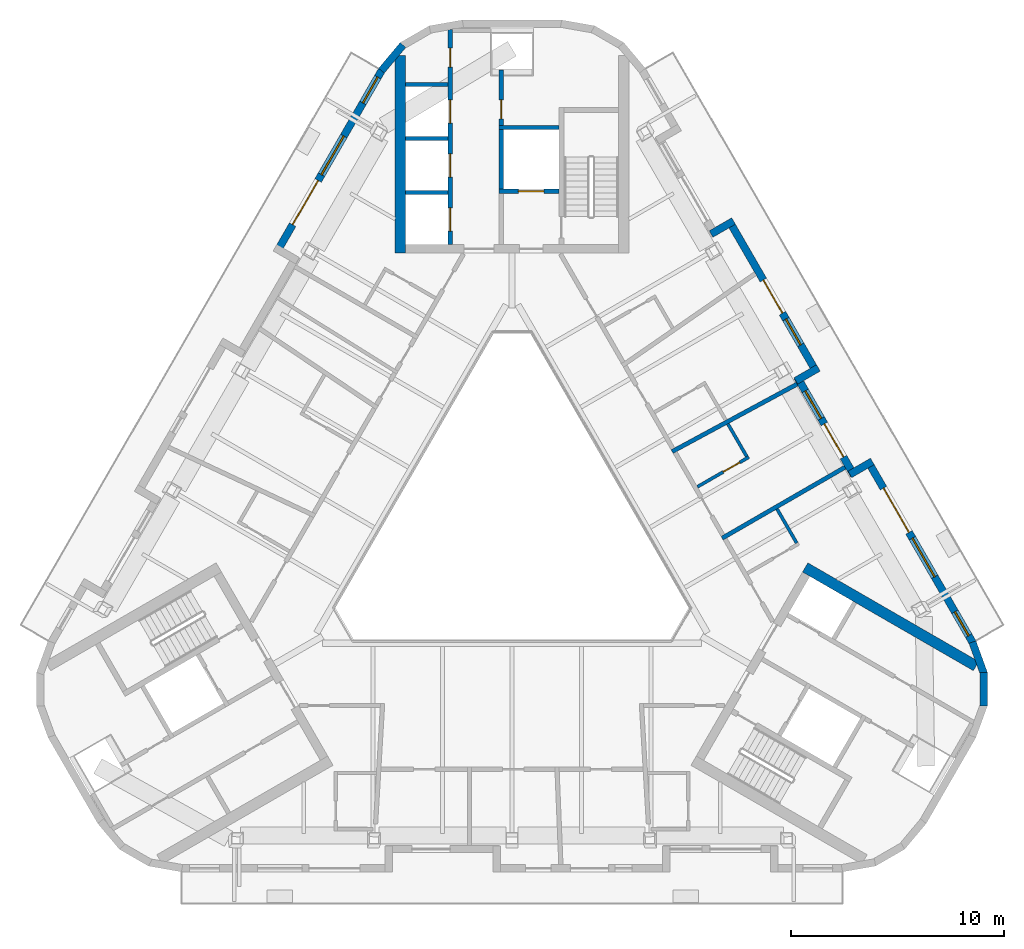
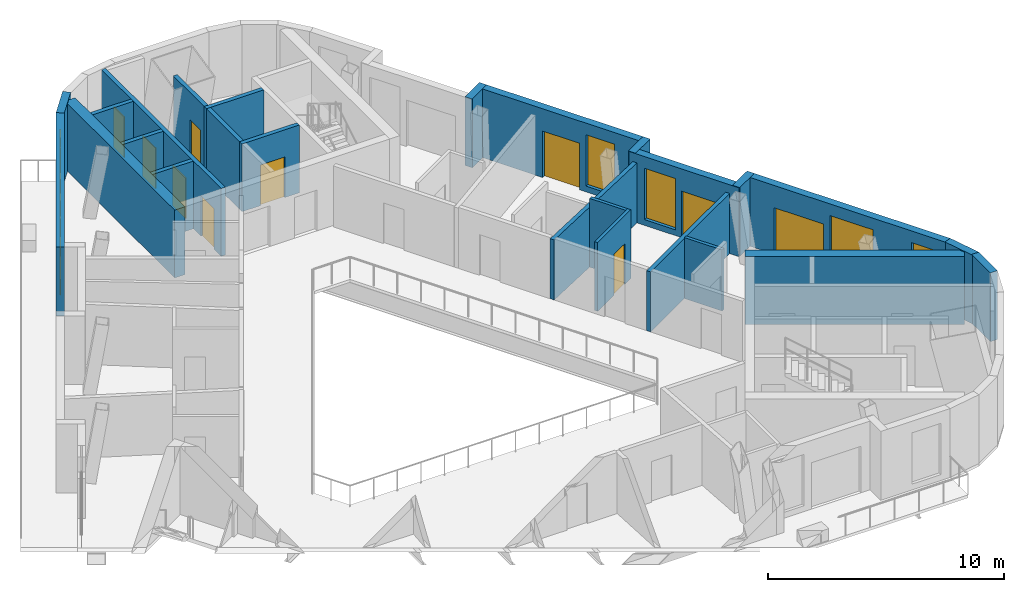
# One storey, part 6 of 11: 25 walls, 11 doors, 6 windows, 17 openings.
"""IFC4 building model written with IfcOpenShell, lengths in metres."""

from ifc_helpers import new_model, si_unit, direction, frame, frame_2d, origin, place, context, subcontext, project, spatial, rectangle, extrude, material, layer, layer_set, type_object, element, fill, save


model = new_model("IFC4")

# Units and contexts
model_context = context("Model", 3, precision=1e-05, world=origin(), true_north=direction((0.0, 1.0)))
body_context = subcontext(model_context, "Body", "Model", "MODEL_VIEW")
ifc_project = project(units=[si_unit("LENGTHUNIT", "METRE"), si_unit("AREAUNIT", "SQUARE_METRE"), si_unit("VOLUMEUNIT", "CUBIC_METRE"), si_unit("PLANEANGLEUNIT", "RADIAN"), si_unit("MASSUNIT", "GRAM", prefix="KILO")], contexts=[model_context])

# Site, building, storey
site_placement = place(None, origin())
site = spatial("IfcSite", under=ifc_project, at=site_placement, CompositionType="ELEMENT")
building_placement = place(site_placement, origin())
building = spatial("IfcBuilding", under=site, at=building_placement, Name="Apuvela Tower Hotel", CompositionType="ELEMENT")
storey_placement = place(building_placement, frame((0.0, 0.0, 320.699951171875)))
storey = spatial("IfcBuildingStorey", under=building, at=storey_placement, Name="L80", CompositionType="ELEMENT", Elevation=320.699951171875)

# Walls
ifc_material_1 = material(Name="Concrete C50/60", Category="concrete")
ifc_layer_1 = layer(ifc_material_1, 0.5)
ifc_layer_set_1 = layer_set([ifc_layer_1], Name="COR-WALL-CORE-500")
wall_type_1 = type_object("IfcWallType", Name="COR-WALL-CORE-500", PredefinedType="SHEAR", material=ifc_layer_set_1)
for number, where, z_axis, x_axis, name in (
    (1, (-5.25, 12.89990234375, 0.0), (0.0, 0.0, 1.0), (0.0, 1.0, 0.0), "Core wall N"),
    (2, (13.796630859375, -1.9033203125, 0.0), (0.0, 0.0, 1.0), (0.866025286072, -0.500000203884, 0.0), "Core wall SE"),
):
    element("IfcWall", number, at=place(storey_placement, frame(where, z_axis=z_axis, x_axis=x_axis)), inside=storey, type_object=wall_type_1, Name=name, PredefinedType="SHEAR", context=body_context, shape_type="SweptSolid", body=[
        extrude(rectangle(XDim=9.28271484375, YDim=0.5, at=frame_2d((4.641357421875, 0.0))), origin(), (0.0, 0.0, 1.0), 3.5),
    ])
ifc_layer_2 = layer(ifc_material_1, 0.199951171875)
ifc_layer_set_2 = layer_set([ifc_layer_2], Name="COR-WALL-SHAFT-200")
wall_type_2 = type_object("IfcWallType", Name="COR-WALL-SHAFT-200", PredefinedType="SHEAR", material=ifc_layer_set_2)
wall_1_placement = place(storey_placement, frame((2.199951171875, 18.800048828125, 0.0), z_axis=(0.0, 0.0, 1.0), x_axis=(-1.0, 0.0, 0.0)))
element("IfcWall", 3, at=wall_1_placement, inside=storey, type_object=wall_type_2, Name="Shaft wall N", PredefinedType="SHEAR", context=body_context, shape_type="SweptSolid", body=[
    extrude(rectangle(XDim=2.800048828125, YDim=0.199951171875, at=frame_2d((1.39990234375, 0.0))), origin(), (0.0, 0.0, 1.0), 3.5),
])

# Wall, opening, door
wall_2_placement = place(storey_placement, frame((2.199951171875, 15.800048828125, 0.0), z_axis=(0.0, 0.0, 1.0), x_axis=(-1.0, 0.0, 0.0)))
wall_2 = element("IfcWall", 4, at=wall_2_placement, inside=storey, type_object=wall_type_2, Name="Shaft wall N", PredefinedType="SHEAR", context=body_context, shape_type="SweptSolid", body=[
    extrude(rectangle(XDim=2.800048828125, YDim=0.199951171875, at=frame_2d((1.39990234375, 0.0))), origin(), (0.0, 0.0, 1.0), 3.5),
])
opening_1_placement = place(wall_2_placement, frame((0.699951171875, 0.0, 0.0)))
opening_1 = element("IfcOpeningElement", 5, at=opening_1_placement, cuts=wall_2, Name="Opening N-LD-FS1", PredefinedType="OPENING", context=body_context, shape_type="SweptSolid", body=[
    extrude(rectangle(XDim=1.199951171875, YDim=2.10009765625, at=frame_2d((0.60009765625, 1.050048828125))), frame((0.0, 0.10986328125, 0.0), z_axis=(0.0, -1.0, 0.0), x_axis=(1.0, 0.0, 0.0)), (0.0, 0.0, 1.0), 0.219970703125),
])
ifc_material_2 = material(Name="Stainless steel lift landing door", Category="steel")
door_type_1 = type_object("IfcDoorType", Name="COR-LD-1200", OperationType="DOUBLE_DOOR_SLIDING", PredefinedType="DOOR", material=ifc_material_2)
door_1_placement = place(opening_1_placement, origin())
door_1 = element("IfcDoor", 6, at=door_1_placement, inside=storey, type_object=door_type_1, Name="Lift landing door N-LD-FS1", OperationType="DOUBLE_DOOR_SLIDING", OverallHeight=2.10009765625, OverallWidth=1.199951171875, PredefinedType="DOOR", context=body_context, shape_type="SweptSolid", body=[
    extrude(rectangle(XDim=1.199951171875, YDim=2.10009765625, at=frame_2d((0.60009765625, 1.050048828125))), frame((0.0, 0.02490234375, 0.0), z_axis=(0.0, -1.0, 0.0), x_axis=(1.0, 0.0, 0.0)), (0.0, 0.0, 1.0), 0.050048828125),
])
fill(opening_1, door_1)

# Wall
wall_3_placement = place(storey_placement, frame((-0.5, 15.89990234375, 0.0), z_axis=(0.0, 0.0, 1.0), x_axis=(0.0, 1.0, 0.0)))
element("IfcWall", 7, at=wall_3_placement, inside=storey, type_object=wall_type_2, Name="Shaft wall N", PredefinedType="SHEAR", context=body_context, shape_type="SweptSolid", body=[
    extrude(rectangle(XDim=2.800048828125, YDim=0.199951171875, at=frame_2d((1.39990234375, 0.0))), origin(), (0.0, 0.0, 1.0), 3.5),
])

# Wall, openings, doors
wall_4_placement = place(storey_placement, frame((-2.89990234375, 13.300048828125, 0.0), z_axis=(0.0, 0.0, 1.0), x_axis=(0.0, 1.0, 0.0)))
wall_4 = element("IfcWall", 8, at=wall_4_placement, inside=storey, type_object=wall_type_2, Name="Shaft wall N", PredefinedType="SHEAR", context=body_context, shape_type="SweptSolid", body=[
    extrude(rectangle(XDim=10.120849609375, YDim=0.199951171875, at=frame_2d((5.060546875, 0.0))), origin(), (0.0, 0.0, 1.0), 3.5),
])
opening_2_placement = place(wall_4_placement, frame((0.6201171875, 0.0, 0.0)))
opening_2 = element("IfcOpeningElement", 9, at=opening_2_placement, cuts=wall_4, Name="Opening N-LD-HR1", PredefinedType="OPENING", context=body_context, shape_type="SweptSolid", body=[
    extrude(rectangle(XDim=1.10009765625, YDim=2.10009765625, at=frame_2d((0.550048828125, 1.050048828125))), frame((0.0, 0.10986328125, 0.0), z_axis=(0.0, -1.0, 0.0), x_axis=(1.0, 0.0, 0.0)), (0.0, 0.0, 1.0), 0.219970703125),
])
opening_3_placement = place(wall_4_placement, frame((3.159912109375, 0.0, 0.0)))
opening_3 = element("IfcOpeningElement", 10, at=opening_3_placement, cuts=wall_4, Name="Opening N-LD-HR2", PredefinedType="OPENING", context=body_context, shape_type="SweptSolid", body=[
    extrude(rectangle(XDim=1.10009765625, YDim=2.10009765625, at=frame_2d((0.550048828125, 1.050048828125))), frame((0.0, 0.10986328125, 0.0), z_axis=(0.0, -1.0, 0.0), x_axis=(1.0, 0.0, 0.0)), (0.0, 0.0, 1.0), 0.219970703125),
])
opening_4_placement = place(wall_4_placement, frame((5.699951171875, 0.0, 0.0)))
opening_4 = element("IfcOpeningElement", 11, at=opening_4_placement, cuts=wall_4, Name="Opening N-LD-HR4", PredefinedType="OPENING", context=body_context, shape_type="SweptSolid", body=[
    extrude(rectangle(XDim=1.10009765625, YDim=2.10009765625, at=frame_2d((0.550048828125, 1.050048828125))), frame((0.0, 0.10986328125, 0.0), z_axis=(0.0, -1.0, 0.0), x_axis=(1.0, 0.0, 0.0)), (0.0, 0.0, 1.0), 0.219970703125),
])
opening_5_placement = place(wall_4_placement, frame((8.340087890625, 0.0, 0.0)))
opening_5 = element("IfcOpeningElement", 12, at=opening_5_placement, cuts=wall_4, Name="Opening N-RE4", PredefinedType="OPENING", context=body_context, shape_type="SweptSolid", body=[
    extrude(rectangle(XDim=0.89990234375, YDim=2.10009765625, at=frame_2d((0.449951171875, 1.050048828125))), frame((0.0, 0.10986328125, 0.0), z_axis=(0.0, -1.0, 0.0), x_axis=(1.0, 0.0, 0.0)), (0.0, 0.0, 1.0), 0.219970703125),
])
ifc_material_3 = material(Name="Steel fire door, powder coated", Category="steel")
door_type_2 = type_object("IfcDoorType", Name="COR-DR-900", OperationType="NOTDEFINED", PredefinedType="DOOR", material=ifc_material_3)
door_2_placement = place(opening_5_placement, origin())
door_2 = element("IfcDoor", 13, at=door_2_placement, inside=storey, type_object=door_type_2, Name="Store door N-RE4", OperationType="SINGLE_SWING_LEFT", OverallHeight=2.10009765625, OverallWidth=0.89990234375, PredefinedType="DOOR", context=body_context, shape_type="SweptSolid", body=[
    extrude(rectangle(XDim=0.89990234375, YDim=2.10009765625, at=frame_2d((0.449951171875, 1.050048828125))), frame((0.0, 0.02490234375, 0.0), z_axis=(0.0, -1.0, 0.0), x_axis=(1.0, 0.0, 0.0)), (0.0, 0.0, 1.0), 0.050048828125),
])
fill(opening_5, door_2)
door_type_3 = type_object("IfcDoorType", Name="COR-LD-1100", OperationType="DOUBLE_DOOR_SLIDING", PredefinedType="DOOR", material=ifc_material_2)
door_3_placement = place(opening_2_placement, origin())
door_3 = element("IfcDoor", 14, at=door_3_placement, inside=storey, type_object=door_type_3, Name="Lift landing door N-LD-HR1", OperationType="DOUBLE_DOOR_SLIDING", OverallHeight=2.10009765625, OverallWidth=1.10009765625, PredefinedType="DOOR", context=body_context, shape_type="SweptSolid", body=[
    extrude(rectangle(XDim=1.10009765625, YDim=2.10009765625, at=frame_2d((0.550048828125, 1.050048828125))), frame((0.0, 0.02490234375, 0.0), z_axis=(0.0, -1.0, 0.0), x_axis=(1.0, 0.0, 0.0)), (0.0, 0.0, 1.0), 0.050048828125),
])
fill(opening_2, door_3)
door_4_placement = place(opening_3_placement, origin())
door_4 = element("IfcDoor", 15, at=door_4_placement, inside=storey, type_object=door_type_3, Name="Lift landing door N-LD-HR2", OperationType="DOUBLE_DOOR_SLIDING", OverallHeight=2.10009765625, OverallWidth=1.10009765625, PredefinedType="DOOR", context=body_context, shape_type="SweptSolid", body=[
    extrude(rectangle(XDim=1.10009765625, YDim=2.10009765625, at=frame_2d((0.550048828125, 1.050048828125))), frame((0.0, 0.02490234375, 0.0), z_axis=(0.0, -1.0, 0.0), x_axis=(1.0, 0.0, 0.0)), (0.0, 0.0, 1.0), 0.050048828125),
])
fill(opening_3, door_4)
door_5_placement = place(opening_4_placement, origin())
door_5 = element("IfcDoor", 16, at=door_5_placement, inside=storey, type_object=door_type_3, Name="Lift landing door N-LD-HR4", OperationType="DOUBLE_DOOR_SLIDING", OverallHeight=2.10009765625, OverallWidth=1.10009765625, PredefinedType="DOOR", context=body_context, shape_type="SweptSolid", body=[
    extrude(rectangle(XDim=1.10009765625, YDim=2.10009765625, at=frame_2d((0.550048828125, 1.050048828125))), frame((0.0, 0.02490234375, 0.0), z_axis=(0.0, -1.0, 0.0), x_axis=(1.0, 0.0, 0.0)), (0.0, 0.0, 1.0), 0.050048828125),
])
fill(opening_4, door_5)

# Wall, opening, door
wall_5_placement = place(storey_placement, frame((-0.5, 18.89990234375, 0.0), z_axis=(0.0, 0.0, 1.0), x_axis=(0.0, 1.0, 0.0)))
wall_5 = element("IfcWall", 17, at=wall_5_placement, inside=storey, type_object=wall_type_2, Name="Shaft wall N", PredefinedType="SHEAR", context=body_context, shape_type="SweptSolid", body=[
    extrude(rectangle(XDim=2.607666015625, YDim=0.199951171875, at=frame_2d((1.3037109375, 0.0))), origin(), (0.0, 0.0, 1.0), 3.5),
])
opening_6_placement = place(wall_5_placement, frame((0.300048828125, 0.0, 0.0)))
opening_6 = element("IfcOpeningElement", 18, at=opening_6_placement, cuts=wall_5, Name="Opening N-RDU", PredefinedType="OPENING", context=body_context, shape_type="SweptSolid", body=[
    extrude(rectangle(XDim=0.89990234375, YDim=2.10009765625, at=frame_2d((0.449951171875, 1.050048828125))), frame((0.0, 0.10986328125, 0.0), z_axis=(0.0, -1.0, 0.0), x_axis=(1.0, 0.0, 0.0)), (0.0, 0.0, 1.0), 0.219970703125),
])
door_6_placement = place(opening_6_placement, frame((0.89990234375, 0.0, 0.0), z_axis=(0.0, 0.0, 1.0), x_axis=(-1.0, 0.0, 0.0)))
door_6 = element("IfcDoor", 19, at=door_6_placement, inside=storey, type_object=door_type_2, Name="Store door N-RDU", OperationType="SINGLE_SWING_RIGHT", OverallHeight=2.10009765625, OverallWidth=0.89990234375, PredefinedType="DOOR", context=body_context, shape_type="SweptSolid", body=[
    extrude(rectangle(XDim=0.89990234375, YDim=2.10009765625, at=frame_2d((0.449951171875, 1.050048828125))), frame((0.0, 0.02490234375, 0.0), z_axis=(0.0, -1.0, 0.0), x_axis=(1.0, 0.0, 0.0)), (0.0, 0.0, 1.0), 0.050048828125),
])
fill(opening_6, door_6)

# Walls
for number, where, z_axis, x_axis, name in (
    (20, (-3.0, 15.739990234375, 0.0), (0.0, 0.0, 1.0), (-1.0, 0.0, 0.0), "Shaft wall N"),
    (21, (-3.0, 18.280029296875, 0.0), (0.0, 0.0, 1.0), (-1.0, 0.0, 0.0), "Shaft wall N"),
    (22, (-3.0, 20.820068359375, 0.0), (0.0, 0.0, 1.0), (-1.0, 0.0, 0.0), "Shaft wall N"),
):
    element("IfcWall", number, at=place(storey_placement, frame(where, z_axis=z_axis, x_axis=x_axis)), inside=storey, type_object=wall_type_2, Name=name, PredefinedType="SHEAR", context=body_context, shape_type="SweptSolid", body=[
        extrude(rectangle(XDim=2.0, YDim=0.199951171875, at=frame_2d((1.0, 0.0))), origin(), (0.0, 0.0, 1.0), 3.5),
    ])

# Wall, openings, door, windows
ifc_material_4 = material(Name="Concrete C40/50, dark pigmented precast panel", Category="concrete")
ifc_layer_3 = layer(ifc_material_4, 0.35009765625)
ifc_layer_set_3 = layer_set([ifc_layer_3], Name="ENV-WALL-350")
wall_type_3 = type_object("IfcWallType", Name="ENV-WALL-350", PredefinedType="SOLIDWALL", material=ifc_layer_set_3)
wall_6_placement = place(storey_placement, frame((-6.12451171875, 21.496826171875, 0.0), z_axis=(0.0, 0.0, 1.0), x_axis=(-0.500002137087, -0.866024169933, 0.0)))
wall_6 = element("IfcWall", 23, at=wall_6_placement, inside=storey, type_object=wall_type_3, Name="External wall L80-01", PredefinedType="SOLIDWALL", context=body_context, shape_type="SweptSolid", body=[
    extrude(rectangle(XDim=9.923828125, YDim=0.35009765625, at=frame_2d((4.9619140625, 0.0))), origin(), (0.0, 0.0, 1.0), 3.550048828125),
])
opening_7_placement = place(wall_6_placement, frame((0.380615234375, 0.0, 0.300048828125)))
opening_7 = element("IfcOpeningElement", 24, at=opening_7_placement, cuts=wall_6, Name="Opening WN14", PredefinedType="OPENING", context=body_context, shape_type="SweptSolid", body=[
    extrude(rectangle(XDim=1.39990234375, YDim=2.64990234375, at=frame_2d((0.699951171875, 1.324951171875))), frame((0.0, 0.18505859375, 0.0), z_axis=(0.0, -1.0, 0.0), x_axis=(1.0, 0.0, 0.0)), (0.0, 0.0, 1.0), 0.3701171875),
])
opening_8_placement = place(wall_6_placement, frame((5.994873046875, 0.0, 0.0)))
opening_8 = element("IfcOpeningElement", 25, at=opening_8_placement, cuts=wall_6, Name="Opening BD24", PredefinedType="OPENING", context=body_context, shape_type="SweptSolid", body=[
    extrude(rectangle(XDim=2.39990234375, YDim=2.39990234375, at=frame_2d((1.199951171875, 1.199951171875))), frame((0.0, 0.18505859375, 0.0), z_axis=(0.0, -1.0, 0.0), x_axis=(1.0, 0.0, 0.0)), (0.0, 0.0, 1.0), 0.3701171875),
])
opening_9_placement = place(wall_6_placement, frame((3.57958984375, 0.0, 0.300048828125)))
opening_9 = element("IfcOpeningElement", 26, at=opening_9_placement, cuts=wall_6, Name="Opening WN21", PredefinedType="OPENING", context=body_context, shape_type="SweptSolid", body=[
    extrude(rectangle(XDim=2.10009765625, YDim=2.64990234375, at=frame_2d((1.050048828125, 1.324951171875))), frame((0.0, 0.18505859375, 0.0), z_axis=(0.0, -1.0, 0.0), x_axis=(1.0, 0.0, 0.0)), (0.0, 0.0, 1.0), 0.3701171875),
])
ifc_material_5 = material(Name="Aluminium 6063-T6, dark bronze anodised frame with dark tinted laminated glass", Category="aluminium")
door_type_4 = type_object("IfcDoorType", Name="ENV-DOOR-BALCONY-2400x2400", OperationType="SLIDING_TO_LEFT", PredefinedType="DOOR", material=ifc_material_5)
door_7_placement = place(opening_8_placement, frame((2.39990234375, 0.0, 0.0), z_axis=(0.0, 0.0, 1.0), x_axis=(-1.0, 0.0, 0.0)))
door_7 = element("IfcDoor", 27, at=door_7_placement, inside=storey, type_object=door_type_4, Name="Balcony door BD24", OperationType="SLIDING_TO_LEFT", OverallHeight=2.39990234375, OverallWidth=2.39990234375, PredefinedType="DOOR", context=body_context, shape_type="SweptSolid", body=[
    extrude(rectangle(XDim=2.39990234375, YDim=2.39990234375, at=frame_2d((1.199951171875, 1.199951171875))), frame((0.0, 0.02490234375, 0.0), z_axis=(0.0, -1.0, 0.0), x_axis=(1.0, 0.0, 0.0)), (0.0, 0.0, 1.0), 0.050048828125),
])
fill(opening_8, door_7)
ifc_material_6 = material(Name="Glass, dark tinted laminated insulated glazing unit", Category="glass")
window_type_1 = type_object("IfcWindowType", Name="ENV-WIN-1400x2650", PartitioningType="SINGLE_PANEL", PredefinedType="WINDOW", material=ifc_material_6)
window_1_placement = place(opening_7_placement, origin())
window_1 = element("IfcWindow", 28, at=window_1_placement, inside=storey, type_object=window_type_1, Name="Window WN14", OverallHeight=2.64990234375, OverallWidth=1.39990234375, PartitioningType="SINGLE_PANEL", PredefinedType="WINDOW", context=body_context, shape_type="SweptSolid", body=[
    extrude(rectangle(XDim=1.39990234375, YDim=2.64990234375, at=frame_2d((0.699951171875, 1.324951171875))), frame((0.0, 0.030029296875, 0.0), z_axis=(0.0, -1.0, 0.0), x_axis=(1.0, 0.0, 0.0)), (0.0, 0.0, 1.0), 0.06005859375),
])
fill(opening_7, window_1)
window_type_2 = type_object("IfcWindowType", Name="ENV-WIN-2100x2650", PartitioningType="SINGLE_PANEL", PredefinedType="WINDOW", material=ifc_material_6)
window_2_placement = place(opening_9_placement, origin())
window_2 = element("IfcWindow", 29, at=window_2_placement, inside=storey, type_object=window_type_2, Name="Window WN21", OverallHeight=2.64990234375, OverallWidth=2.10009765625, PartitioningType="SINGLE_PANEL", PredefinedType="WINDOW", context=body_context, shape_type="SweptSolid", body=[
    extrude(rectangle(XDim=2.10009765625, YDim=2.64990234375, at=frame_2d((1.050048828125, 1.324951171875))), frame((0.0, 0.030029296875, 0.0), z_axis=(0.0, -1.0, 0.0), x_axis=(1.0, 0.0, 0.0)), (0.0, 0.0, 1.0), 0.06005859375),
])
fill(opening_9, window_2)

# Walls
for number, where, z_axis, x_axis, name in (
    (30, (22.19580078125, -8.419677734375, 0.0), (0.0, 0.0, 1.0), (0.0, 1.0, 0.0), "External wall L80-31"),
    (31, (22.206298828125, -6.900390625, 0.0), (0.0, 0.0, 1.0), (-0.341991325642, 0.939703109065, 0.0), "External wall L80-32"),
):
    element("IfcWall", number, at=place(storey_placement, frame(where, z_axis=z_axis, x_axis=x_axis)), inside=storey, type_object=wall_type_3, Name=name, PredefinedType="SOLIDWALL", context=body_context, shape_type="SweptSolid", body=[
        extrude(rectangle(XDim=1.5791015625, YDim=0.35009765625, at=frame_2d((0.78955078125, 0.0))), origin(), (0.0, 0.0, 1.0), 3.550048828125),
    ])

# Wall, openings, door, windows
wall_7_placement = place(storey_placement, frame((21.67919921875, -5.4443359375, 0.0), z_axis=(0.0, 0.0, 1.0), x_axis=(-0.500020587865, 0.866013517049, 0.0)))
wall_7 = element("IfcWall", 32, at=wall_7_placement, inside=storey, type_object=wall_type_3, Name="External wall L80-33", PredefinedType="SOLIDWALL", context=body_context, shape_type="SweptSolid", body=[
    extrude(rectangle(XDim=9.923828125, YDim=0.35009765625, at=frame_2d((4.9619140625, 0.0))), origin(), (0.0, 0.0, 1.0), 3.550048828125),
])
opening_10_placement = place(wall_7_placement, frame((0.381103515625, 0.0, 0.300048828125)))
opening_10 = element("IfcOpeningElement", 33, at=opening_10_placement, cuts=wall_7, Name="Opening WN13", PredefinedType="OPENING", context=body_context, shape_type="SweptSolid", body=[
    extrude(rectangle(XDim=1.300048828125, YDim=2.64990234375, at=frame_2d((0.64990234375, 1.324951171875))), frame((0.0, 0.18505859375, 0.0), z_axis=(0.0, -1.0, 0.0), x_axis=(1.0, 0.0, 0.0)), (0.0, 0.0, 1.0), 0.3701171875),
])
opening_11_placement = place(wall_7_placement, frame((5.9951171875, 0.0, 0.0)))
opening_11 = element("IfcOpeningElement", 34, at=opening_11_placement, cuts=wall_7, Name="Opening BD24", PredefinedType="OPENING", context=body_context, shape_type="SweptSolid", body=[
    extrude(rectangle(XDim=2.39990234375, YDim=2.39990234375, at=frame_2d((1.199951171875, 1.199951171875))), frame((0.0, 0.18505859375, 0.0), z_axis=(0.0, -1.0, 0.0), x_axis=(1.0, 0.0, 0.0)), (0.0, 0.0, 1.0), 0.3701171875),
])
opening_12_placement = place(wall_7_placement, frame((3.579345703125, 0.0, 0.300048828125)))
opening_12 = element("IfcOpeningElement", 35, at=opening_12_placement, cuts=wall_7, Name="Opening WN21", PredefinedType="OPENING", context=body_context, shape_type="SweptSolid", body=[
    extrude(rectangle(XDim=2.10009765625, YDim=2.64990234375, at=frame_2d((1.050048828125, 1.324951171875))), frame((0.0, 0.18505859375, 0.0), z_axis=(0.0, -1.0, 0.0), x_axis=(1.0, 0.0, 0.0)), (0.0, 0.0, 1.0), 0.3701171875),
])
door_8_placement = place(opening_11_placement, frame((2.39990234375, 0.0, 0.0), z_axis=(0.0, 0.0, 1.0), x_axis=(-1.0, 0.0, 0.0)))
door_8 = element("IfcDoor", 36, at=door_8_placement, inside=storey, type_object=door_type_4, Name="Balcony door BD24", OperationType="SLIDING_TO_LEFT", OverallHeight=2.39990234375, OverallWidth=2.39990234375, PredefinedType="DOOR", context=body_context, shape_type="SweptSolid", body=[
    extrude(rectangle(XDim=2.39990234375, YDim=2.39990234375, at=frame_2d((1.199951171875, 1.199951171875))), frame((0.0, 0.02490234375, 0.0), z_axis=(0.0, -1.0, 0.0), x_axis=(1.0, 0.0, 0.0)), (0.0, 0.0, 1.0), 0.050048828125),
])
fill(opening_11, door_8)
window_type_3 = type_object("IfcWindowType", Name="ENV-WIN-1300x2650", PartitioningType="SINGLE_PANEL", PredefinedType="WINDOW", material=ifc_material_6)
window_3_placement = place(opening_10_placement, origin())
window_3 = element("IfcWindow", 37, at=window_3_placement, inside=storey, type_object=window_type_3, Name="Window WN13", OverallHeight=2.64990234375, OverallWidth=1.300048828125, PartitioningType="SINGLE_PANEL", PredefinedType="WINDOW", context=body_context, shape_type="SweptSolid", body=[
    extrude(rectangle(XDim=1.300048828125, YDim=2.64990234375, at=frame_2d((0.64990234375, 1.324951171875))), frame((0.0, 0.030029296875, 0.0), z_axis=(0.0, -1.0, 0.0), x_axis=(1.0, 0.0, 0.0)), (0.0, 0.0, 1.0), 0.06005859375),
])
fill(opening_10, window_3)
window_4_placement = place(opening_12_placement, origin())
window_4 = element("IfcWindow", 38, at=window_4_placement, inside=storey, type_object=window_type_2, Name="Window WN21", OverallHeight=2.64990234375, OverallWidth=2.10009765625, PartitioningType="SINGLE_PANEL", PredefinedType="WINDOW", context=body_context, shape_type="SweptSolid", body=[
    extrude(rectangle(XDim=2.10009765625, YDim=2.64990234375, at=frame_2d((1.050048828125, 1.324951171875))), frame((0.0, 0.030029296875, 0.0), z_axis=(0.0, -1.0, 0.0), x_axis=(1.0, 0.0, 0.0)), (0.0, 0.0, 1.0), 0.06005859375),
])
fill(opening_12, window_4)

# Wall
wall_8_placement = place(storey_placement, frame((16.956298828125, 3.0859375, 0.0), z_axis=(0.0, 0.0, 1.0), x_axis=(-0.866005645448, -0.500034220881, 0.0)))
element("IfcWall", 39, at=wall_8_placement, inside=storey, type_object=wall_type_3, Name="External wall L80-34", PredefinedType="SOLIDWALL", context=body_context, shape_type="SweptSolid", body=[
    extrude(rectangle(XDim=1.22021484375, YDim=0.35009765625, at=frame_2d((0.610107421875, 0.0))), origin(), (0.0, 0.0, 1.0), 3.550048828125),
])

# Wall, openings, door, window
wall_9_placement = place(storey_placement, frame((16.09765625, 2.4228515625, 0.0), z_axis=(0.0, 0.0, 1.0), x_axis=(-0.499996591357, 0.866027371756, 0.0)))
wall_9 = element("IfcWall", 40, at=wall_9_placement, inside=storey, type_object=wall_type_3, Name="External wall L80-35", PredefinedType="SOLIDWALL", context=body_context, shape_type="SweptSolid", body=[
    extrude(rectangle(XDim=5.37060546875, YDim=0.35009765625, at=frame_2d((2.685302734375, 0.0))), origin(), (0.0, 0.0, 1.0), 3.550048828125),
])
opening_13_placement = place(wall_9_placement, frame((1.000244140625, 0.0, 0.0)))
opening_13 = element("IfcOpeningElement", 41, at=opening_13_placement, cuts=wall_9, Name="Opening BD18", PredefinedType="OPENING", context=body_context, shape_type="SweptSolid", body=[
    extrude(rectangle(XDim=1.800048828125, YDim=2.39990234375, at=frame_2d((0.89990234375, 1.199951171875))), frame((0.0, 0.18505859375, 0.0), z_axis=(0.0, -1.0, 0.0), x_axis=(1.0, 0.0, 0.0)), (0.0, 0.0, 1.0), 0.3701171875),
])
opening_14_placement = place(wall_9_placement, frame((3.10009765625, 0.0, 0.300048828125)))
opening_14 = element("IfcOpeningElement", 42, at=opening_14_placement, cuts=wall_9, Name="Opening WN15", PredefinedType="OPENING", context=body_context, shape_type="SweptSolid", body=[
    extrude(rectangle(XDim=1.5, YDim=2.64990234375, at=frame_2d((0.75, 1.324951171875))), frame((0.0, 0.18505859375, 0.0), z_axis=(0.0, -1.0, 0.0), x_axis=(1.0, 0.0, 0.0)), (0.0, 0.0, 1.0), 0.3701171875),
])
door_type_5 = type_object("IfcDoorType", Name="ENV-DOOR-BALCONY-1800x2400", OperationType="SLIDING_TO_LEFT", PredefinedType="DOOR", material=ifc_material_5)
door_9_placement = place(opening_13_placement, frame((1.800048828125, 0.0, 0.0), z_axis=(0.0, 0.0, 1.0), x_axis=(-1.0, 0.0, 0.0)))
door_9 = element("IfcDoor", 43, at=door_9_placement, inside=storey, type_object=door_type_5, Name="Balcony door BD18", OperationType="SLIDING_TO_LEFT", OverallHeight=2.39990234375, OverallWidth=1.800048828125, PredefinedType="DOOR", context=body_context, shape_type="SweptSolid", body=[
    extrude(rectangle(XDim=1.800048828125, YDim=2.39990234375, at=frame_2d((0.89990234375, 1.199951171875))), frame((0.0, 0.02490234375, 0.0), z_axis=(0.0, -1.0, 0.0), x_axis=(1.0, 0.0, 0.0)), (0.0, 0.0, 1.0), 0.050048828125),
])
fill(opening_13, door_9)
window_type_4 = type_object("IfcWindowType", Name="ENV-WIN-1500x2650", PartitioningType="SINGLE_PANEL", PredefinedType="WINDOW", material=ifc_material_6)
window_5_placement = place(opening_14_placement, origin())
window_5 = element("IfcWindow", 44, at=window_5_placement, inside=storey, type_object=window_type_4, Name="Window WN15", OverallHeight=2.64990234375, OverallWidth=1.5, PartitioningType="SINGLE_PANEL", PredefinedType="WINDOW", context=body_context, shape_type="SweptSolid", body=[
    extrude(rectangle(XDim=1.5, YDim=2.64990234375, at=frame_2d((0.75, 1.324951171875))), frame((0.0, 0.030029296875, 0.0), z_axis=(0.0, -1.0, 0.0), x_axis=(1.0, 0.0, 0.0)), (0.0, 0.0, 1.0), 0.06005859375),
])
fill(opening_14, window_5)

# Wall
wall_10_placement = place(storey_placement, frame((13.359375, 6.8759765625, 0.0), z_axis=(0.0, 0.0, 1.0), x_axis=(0.866092288191, 0.499884134912, 0.0)))
element("IfcWall", 45, at=wall_10_placement, inside=storey, type_object=wall_type_3, Name="External wall L80-36", PredefinedType="SOLIDWALL", context=body_context, shape_type="SweptSolid", body=[
    extrude(rectangle(XDim=1.219970703125, YDim=0.35009765625, at=frame_2d((0.60986328125, 0.0))), origin(), (0.0, 0.0, 1.0), 3.550048828125),
])

# Wall, openings, door, window
wall_11_placement = place(storey_placement, frame((14.351806640625, 7.246826171875, 0.0), z_axis=(0.0, 0.0, 1.0), x_axis=(-0.499993893925, 0.8660289291, 0.0)))
wall_11 = element("IfcWall", 46, at=wall_11_placement, inside=storey, type_object=wall_type_3, Name="External wall L80-37", PredefinedType="SOLIDWALL", context=body_context, shape_type="SweptSolid", body=[
    extrude(rectangle(XDim=8.33056640625, YDim=0.35009765625, at=frame_2d((4.165283203125, 0.0))), origin(), (0.0, 0.0, 1.0), 3.550048828125),
])
opening_15_placement = place(wall_11_placement, frame((3.250244140625, 0.0, 0.0)))
opening_15 = element("IfcOpeningElement", 47, at=opening_15_placement, cuts=wall_11, Name="Opening BD18", PredefinedType="OPENING", context=body_context, shape_type="SweptSolid", body=[
    extrude(rectangle(XDim=1.800048828125, YDim=2.39990234375, at=frame_2d((0.89990234375, 1.199951171875))), frame((0.0, 0.18505859375, 0.0), z_axis=(0.0, -1.0, 0.0), x_axis=(1.0, 0.0, 0.0)), (0.0, 0.0, 1.0), 0.3701171875),
])
opening_16_placement = place(wall_11_placement, frame((1.528076171875, 0.0, 0.300048828125)))
opening_16 = element("IfcOpeningElement", 48, at=opening_16_placement, cuts=wall_11, Name="Opening WN14", PredefinedType="OPENING", context=body_context, shape_type="SweptSolid", body=[
    extrude(rectangle(XDim=1.39990234375, YDim=2.64990234375, at=frame_2d((0.699951171875, 1.324951171875))), frame((0.0, 0.18505859375, 0.0), z_axis=(0.0, -1.0, 0.0), x_axis=(1.0, 0.0, 0.0)), (0.0, 0.0, 1.0), 0.3701171875),
])
door_10_placement = place(opening_15_placement, frame((1.800048828125, 0.0, 0.0), z_axis=(0.0, 0.0, 1.0), x_axis=(-1.0, 0.0, 0.0)))
door_10 = element("IfcDoor", 49, at=door_10_placement, inside=storey, type_object=door_type_5, Name="Balcony door BD18", OperationType="SLIDING_TO_LEFT", OverallHeight=2.39990234375, OverallWidth=1.800048828125, PredefinedType="DOOR", context=body_context, shape_type="SweptSolid", body=[
    extrude(rectangle(XDim=1.800048828125, YDim=2.39990234375, at=frame_2d((0.89990234375, 1.199951171875))), frame((0.0, 0.02490234375, 0.0), z_axis=(0.0, -1.0, 0.0), x_axis=(1.0, 0.0, 0.0)), (0.0, 0.0, 1.0), 0.050048828125),
])
fill(opening_15, door_10)
window_6_placement = place(opening_16_placement, origin())
window_6 = element("IfcWindow", 50, at=window_6_placement, inside=storey, type_object=window_type_1, Name="Window WN14", OverallHeight=2.64990234375, OverallWidth=1.39990234375, PartitioningType="SINGLE_PANEL", PredefinedType="WINDOW", context=body_context, shape_type="SweptSolid", body=[
    extrude(rectangle(XDim=1.39990234375, YDim=2.64990234375, at=frame_2d((0.699951171875, 1.324951171875))), frame((0.0, 0.030029296875, 0.0), z_axis=(0.0, -1.0, 0.0), x_axis=(1.0, 0.0, 0.0)), (0.0, 0.0, 1.0), 0.06005859375),
])
fill(opening_16, window_6)

# Walls
wall_12_placement = place(storey_placement, frame((10.425537109375, 14.3974609375, 0.0), z_axis=(0.0, 0.0, 1.0), x_axis=(-0.866005645448, -0.500034220881, 0.0)))
element("IfcWall", 51, at=wall_12_placement, inside=storey, type_object=wall_type_3, Name="External wall L80-38", PredefinedType="SOLIDWALL", context=body_context, shape_type="SweptSolid", body=[
    extrude(rectangle(XDim=1.22021484375, YDim=0.35009765625, at=frame_2d((0.610107421875, 0.0))), origin(), (0.0, 0.0, 1.0), 3.550048828125),
])
wall_13_placement = place(storey_placement, frame((-5.127197265625, 22.681396484375, 0.0), z_axis=(0.0, 0.0, 1.0), x_axis=(-0.642720587594, -0.766100676336, 0.0)))
element("IfcWall", 52, at=wall_13_placement, inside=storey, type_object=wall_type_3, Name="External wall L80-48", PredefinedType="SOLIDWALL", context=body_context, shape_type="SweptSolid", body=[
    extrude(rectangle(XDim=1.5791015625, YDim=0.35009765625, at=frame_2d((0.78955078125, 0.0))), origin(), (0.0, 0.0, 1.0), 3.550048828125),
])
ifc_material_7 = material(Name="Gypsum board partition on twin steel stud", Category="steel")
ifc_layer_4 = layer(ifc_material_7, 0.199951171875)
ifc_layer_set_4 = layer_set([ifc_layer_4], Name="GST-PW1")
wall_type_4 = type_object("IfcWallType", Name="GST-PW1", PredefinedType="PARTITIONING", material=ifc_layer_set_4)
wall_14_placement = place(storey_placement, frame((15.6708984375, 2.812255859375, 0.0), z_axis=(0.0, 0.0, 1.0), x_axis=(-0.866020588255, -0.50000834065, 0.0)))
element("IfcWall", 53, at=wall_14_placement, inside=storey, type_object=wall_type_4, Name="L80 partition 05", PredefinedType="PARTITIONING", context=body_context, shape_type="SweptSolid", body=[
    extrude(rectangle(XDim=6.677734375, YDim=0.199951171875, at=frame_2d((3.3388671875, 0.0))), origin(), (0.0, 0.0, 1.0), 3.10009765625),
])
wall_15_placement = place(storey_placement, frame((13.4130859375, 6.722900390625, 0.0), z_axis=(0.0, 0.0, 1.0), x_axis=(-0.879890728885, -0.475176078126, 0.0)))
element("IfcWall", 54, at=wall_15_placement, inside=storey, type_object=wall_type_4, Name="L80 partition 06", PredefinedType="PARTITIONING", context=body_context, shape_type="SweptSolid", body=[
    extrude(rectangle(XDim=6.68017578125, YDim=0.199951171875, at=frame_2d((3.340087890625, 0.0))), origin(), (0.0, 0.0, 1.0), 3.10009765625),
])
ifc_material_8 = material(Name="Moisture-resistant gypsum board wet wall on steel stud", Category="steel")
ifc_layer_5 = layer(ifc_material_8, 0.14990234375)
ifc_layer_set_5 = layer_set([ifc_layer_5], Name="GST-PW3")
wall_type_5 = type_object("IfcWallType", Name="GST-PW3", PredefinedType="PARTITIONING", material=ifc_layer_set_5)
wall_16_placement = place(storey_placement, frame((13.39599609375, -0.752685546875, 0.0), z_axis=(0.0, 0.0, 1.0), x_axis=(-0.49994333299, 0.866058118026, 0.0)))
element("IfcWall", 55, at=wall_16_placement, inside=storey, type_object=wall_type_5, Name="L80 partition 24", PredefinedType="PARTITIONING", context=body_context, shape_type="SweptSolid", body=[
    extrude(rectangle(XDim=1.849853515625, YDim=0.14990234375, at=frame_2d((0.9248046875, 0.0))), origin(), (0.0, 0.0, 1.0), 3.150146484375),
])

# Wall, opening, door
wall_17_placement = place(storey_placement, frame((8.7236328125, 1.889892578125, 0.0), z_axis=(0.0, 0.0, 1.0), x_axis=(0.866018616679, 0.500011755427, 0.0)))
wall_17 = element("IfcWall", 56, at=wall_17_placement, inside=storey, type_object=wall_type_5, Name="L80 partition 26", PredefinedType="PARTITIONING", context=body_context, shape_type="SweptSolid", body=[
    extrude(rectangle(XDim=2.80029296875, YDim=0.14990234375, at=frame_2d((1.400146484375, 0.0))), origin(), (0.0, 0.0, 1.0), 3.550048828125),
])
opening_17_placement = place(wall_17_placement, frame((1.400146484375, 0.0, 0.0)))
opening_17 = element("IfcOpeningElement", 57, at=opening_17_placement, cuts=wall_17, Name="Opening GD34-10", PredefinedType="OPENING", context=body_context, shape_type="SweptSolid", body=[
    extrude(rectangle(XDim=0.89990234375, YDim=2.10009765625, at=frame_2d((0.449951171875, 1.050048828125))), frame((0.0, 0.0849609375, 0.0), z_axis=(0.0, -1.0, 0.0), x_axis=(1.0, 0.0, 0.0)), (0.0, 0.0, 1.0), 0.169921875),
])
ifc_material_9 = material(Name="Timber door leaf in steel frame", Category="steel")
door_type_6 = type_object("IfcDoorType", Name="GST-D2", OperationType="NOTDEFINED", PredefinedType="DOOR", material=ifc_material_9)
door_11_placement = place(opening_17_placement, origin())
door_11 = element("IfcDoor", 58, at=door_11_placement, inside=storey, type_object=door_type_6, Name="Door L80-10", OperationType="SINGLE_SWING_RIGHT", OverallHeight=2.10009765625, OverallWidth=0.89990234375, PredefinedType="DOOR", context=body_context, shape_type="SweptSolid", body=[
    extrude(rectangle(XDim=0.89990234375, YDim=2.10009765625, at=frame_2d((0.449951171875, 1.050048828125))), frame((0.0, 0.02490234375, 0.0), z_axis=(0.0, -1.0, 0.0), x_axis=(1.0, 0.0, 0.0)), (0.0, 0.0, 1.0), 0.050048828125),
])
fill(opening_17, door_11)

# Wall
wall_18_placement = place(storey_placement, frame((11.046142578125, 3.3173828125, 0.0), z_axis=(0.0, 0.0, 1.0), x_axis=(-0.499960902066, 0.86604797581, 0.0)))
element("IfcWall", 59, at=wall_18_placement, inside=storey, type_object=wall_type_5, Name="L80 partition 27", PredefinedType="PARTITIONING", context=body_context, shape_type="SweptSolid", body=[
    extrude(rectangle(XDim=1.772705078125, YDim=0.14990234375, at=frame_2d((0.88623046875, 0.0))), origin(), (0.0, 0.0, 1.0), 3.550048828125),
])

save(model, "model.ifc")
